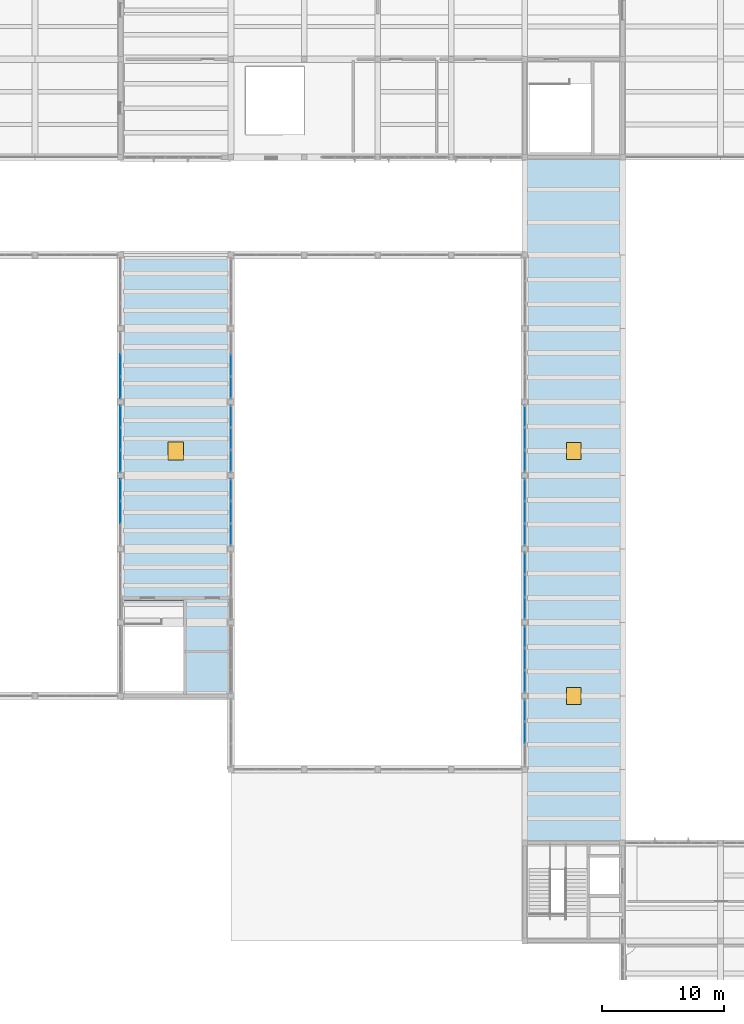
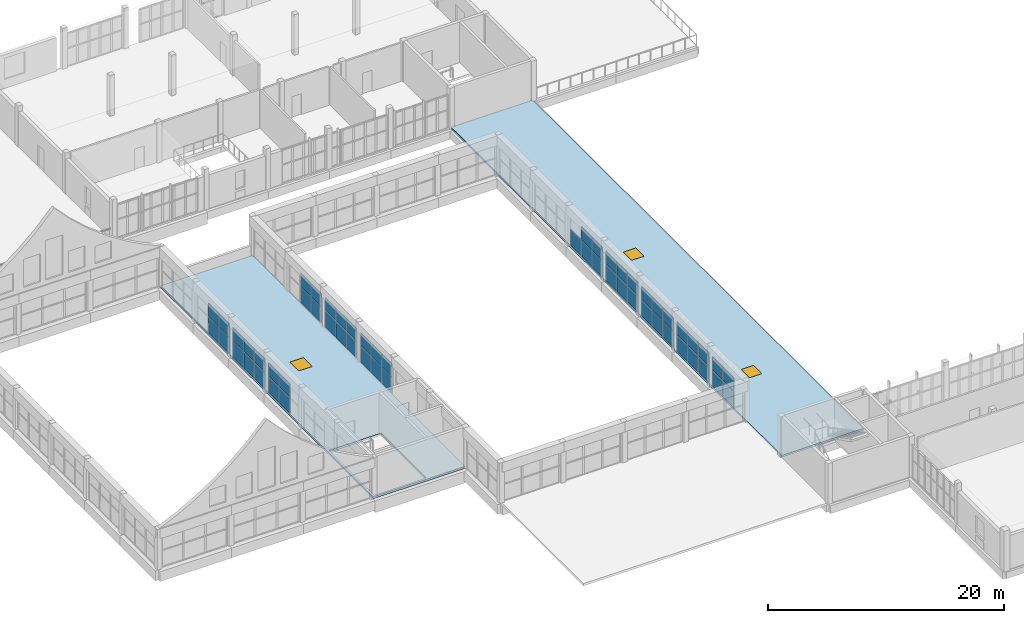
# One storey, part 41 of 70: 57 plates, 3 windows, 2 slabs, 3 openings, 11 elements without a shape of their own.
"""IFC4 building model written with IfcOpenShell, lengths in metres."""

from ifc_helpers import new_model, si_unit, direction, frame, origin, origin_2d, place, context, subcontext, project, spatial, polyline, rectangle, outline, extrude, material, layer, layer_set, type_object, element, fill, aggregate, save


model = new_model("IFC4")

# Units and contexts
model_context = context("Model", 3, precision=1e-05, world=origin(), true_north=direction((0.0, 1.0)))
body_context = subcontext(model_context, "Body", "Model", "MODEL_VIEW")
ifc_project = project(units=[si_unit("LENGTHUNIT", "METRE"), si_unit("AREAUNIT", "SQUARE_METRE"), si_unit("VOLUMEUNIT", "CUBIC_METRE"), si_unit("PLANEANGLEUNIT", "RADIAN"), si_unit("MASSUNIT", "GRAM", prefix="KILO")], contexts=[model_context])

# Site, building, storey
site_placement = place(None, origin())
site = spatial("IfcSite", under=ifc_project, at=site_placement, CompositionType="ELEMENT")
building_placement = place(site_placement, origin())
building = spatial("IfcBuilding", under=site, at=building_placement, Name="Solvane Community Centre", CompositionType="ELEMENT")
storey_placement = place(building_placement, frame((0.0, 0.0, 9.60009765625)))
storey = spatial("IfcBuildingStorey", under=building, at=storey_placement, Name="L02", CompositionType="ELEMENT", Elevation=9.60009765625)

# Slab, opening, window
ifc_material_1 = material(Name="Cross-laminated timber C24", Category="wood")
ifc_layer_1 = layer(ifc_material_1, 0.199951171875)
ifc_layer_set_1 = layer_set([ifc_layer_1], Name="Cross-laminated timber C24")
slab_type = type_object("IfcSlabType", Name="Insulated Pitched Roof Deck 200mm", PredefinedType="ROOF", material=ifc_layer_set_1)
slab_1_placement = place(storey_placement, frame((0.0, 0.0, -0.210205078125)))
slab_1 = element("IfcSlab", 1, at=slab_1_placement, inside=storey, type_object=slab_type, Name="Podium Roof Slab SLB-RF-V2-CHG", PredefinedType="ROOF", context=body_context, shape_type="SweptSolid", body=[
    extrude(outline(polyline([(27.0, 42.0), (36.0, 42.0), (36.0, 78.0), (27.0, 78.0), (27.0, 42.0)]), holes=[polyline([(27.199951171875, 42.199951171875), (32.300048828125, 42.199951171875), (32.300048828125, 49.800048828125), (27.199951171875, 49.800048828125), (27.199951171875, 42.199951171875)]), polyline([(30.85009765625, 61.25), (32.14990234375, 61.25), (32.14990234375, 62.75), (30.85009765625, 62.75), (30.85009765625, 61.25)])]), origin(), (0.0, 0.0, 1.0), 0.210205078125),
])
opening_1_placement = place(slab_1_placement, frame((31.5, 62.0, 0.0)))
opening_1 = element("IfcOpeningElement", 2, at=opening_1_placement, cuts=slab_1, Name="Opening SK04", PredefinedType="OPENING", context=body_context, shape_type="SweptSolid", body=[
    extrude(rectangle(XDim=1.300048828125, YDim=1.5, at=origin_2d()), origin(), (0.0, 0.0, 1.0), 0.210205078125),
])
ifc_material_2 = material(Name="Translucent polycarbonate panel")
window_type_1 = type_object("IfcWindowType", Name="Podium Daylight Dome 1300x1500", PartitioningType="SINGLE_PANEL", PredefinedType="SKYLIGHT", material=ifc_material_2)
window_1_placement = place(opening_1_placement, frame((0.0, 0.0, 0.16015625)))
window_1 = element("IfcWindow", 3, at=window_1_placement, inside=storey, type_object=window_type_1, Name="SK-RF-03", OverallHeight=1.5, OverallWidth=1.300048828125, PartitioningType="SINGLE_PANEL", PredefinedType="SKYLIGHT", context=body_context, shape_type="SweptSolid", body=[
    extrude(rectangle(XDim=1.300048828125, YDim=1.5, at=origin_2d()), origin(), (0.0, 0.0, 1.0), 0.050048828125),
])
fill(opening_1, window_1)

# Slab, openings, windows
slab_2_placement = place(storey_placement, frame((0.0, 0.0, -0.190185546875)))
slab_2 = element("IfcSlab", 4, at=slab_2_placement, inside=storey, type_object=slab_type, Name="Podium Roof Slab SLB-RF-V1-CLO", PredefinedType="ROOF", context=body_context, shape_type="SweptSolid", body=[
    extrude(outline(polyline([(60.0, 30.0), (68.0, 30.0), (68.0, 86.0), (60.0, 86.0), (60.0, 30.0)]), holes=[polyline([(63.39990234375, 41.300048828125), (64.60009765625, 41.300048828125), (64.60009765625, 42.699951171875), (63.39990234375, 42.699951171875), (63.39990234375, 41.300048828125)]), polyline([(63.39990234375, 61.300048828125), (64.60009765625, 61.300048828125), (64.60009765625, 62.699951171875), (63.39990234375, 62.699951171875), (63.39990234375, 61.300048828125)])]), origin(), (0.0, 0.0, 1.0), 0.190185546875),
])
opening_2_placement = place(slab_2_placement, frame((64.0, 42.0, 0.0)))
opening_2 = element("IfcOpeningElement", 5, at=opening_2_placement, cuts=slab_2, Name="Opening SK02", PredefinedType="OPENING", context=body_context, shape_type="SweptSolid", body=[
    extrude(rectangle(XDim=1.199951171875, YDim=1.39990234375, at=origin_2d()), origin(), (0.0, 0.0, 1.0), 0.190185546875),
])
opening_3_placement = place(slab_2_placement, frame((64.0, 62.0, 0.0)))
opening_3 = element("IfcOpeningElement", 6, at=opening_3_placement, cuts=slab_2, Name="Opening SK02", PredefinedType="OPENING", context=body_context, shape_type="SweptSolid", body=[
    extrude(rectangle(XDim=1.199951171875, YDim=1.39990234375, at=origin_2d()), origin(), (0.0, 0.0, 1.0), 0.190185546875),
])
window_type_2 = type_object("IfcWindowType", Name="Roof Access Skylight Hatch 1200x1400", PartitioningType="SINGLE_PANEL", PredefinedType="SKYLIGHT", material=ifc_material_2)
window_2_placement = place(opening_2_placement, frame((0.0, 0.0, 0.14013671875)))
window_2 = element("IfcWindow", 7, at=window_2_placement, inside=storey, type_object=window_type_2, Name="SK-RF-01", OverallHeight=1.39990234375, OverallWidth=1.199951171875, PartitioningType="SINGLE_PANEL", PredefinedType="SKYLIGHT", context=body_context, shape_type="SweptSolid", body=[
    extrude(rectangle(XDim=1.199951171875, YDim=1.39990234375, at=origin_2d()), origin(), (0.0, 0.0, 1.0), 0.050048828125),
])
fill(opening_2, window_2)
window_3_placement = place(opening_3_placement, frame((0.0, 0.0, 0.14013671875)))
window_3 = element("IfcWindow", 8, at=window_3_placement, inside=storey, type_object=window_type_2, Name="SK-RF-02", OverallHeight=1.39990234375, OverallWidth=1.199951171875, PartitioningType="SINGLE_PANEL", PredefinedType="SKYLIGHT", context=body_context, shape_type="SweptSolid", body=[
    extrude(rectangle(XDim=1.199951171875, YDim=1.39990234375, at=origin_2d()), origin(), (0.0, 0.0, 1.0), 0.050048828125),
])
fill(opening_3, window_3)

# Curtain wall, plates
ifc_material_3 = material(Name="Anodised bronze aluminium AW-6063 T6", Category="aluminium")
ifc_layer_2 = layer(ifc_material_3, 0.179931640625)
ifc_layer_set_2 = layer_set([ifc_layer_2], Name="Anodised bronze aluminium AW-6063 T6")
curtain_wall_type = type_object("IfcCurtainWallType", Name="Hall Translucent Upper Curtain Wall [55x32dm]", PredefinedType="NOTDEFINED", material=ifc_layer_set_2)
curtain_wall_1_placement = place(storey_placement, origin())
curtain_wall_1 = element("IfcCurtainWall", 9, at=curtain_wall_1_placement, inside=storey, type_object=curtain_wall_type, Name="Curtain Wall CW-L02-360_717-123", PredefinedType="NOTDEFINED")
ifc_layer_3 = layer(ifc_material_2, 0.028076171875)
ifc_layer_set_3 = layer_set([ifc_layer_3], Name="Translucent polycarbonate panel")
plate_type = type_object("IfcPlateType", Name="Translucent Polycarbonate Panel 28mm [55x32dm]", PredefinedType="CURTAIN_PANEL", material=ifc_layer_set_3)
plate_1_placement = place(storey_placement, frame((36.0, 69.0, 0.059814453125), z_axis=(0.0, 0.0, 1.0), x_axis=(0.0, -1.0, 0.0)))
plate_1 = element("IfcPlate", 10, at=plate_1_placement, type_object=plate_type, Name="CW01-55x32 panel 2.1", PredefinedType="CURTAIN_PANEL", context=body_context, shape_type="SweptSolid", body=[
    extrude(rectangle(XDim=1.77001953125, YDim=0.028076171875, at=origin_2d()), origin(), (0.0, 0.0, 1.0), 1.662109375),
])
plate_2_placement = place(storey_placement, frame((36.0, 69.0, 1.78173828125), z_axis=(0.0, 0.0, 1.0), x_axis=(0.0, -1.0, 0.0)))
plate_2 = element("IfcPlate", 11, at=plate_2_placement, type_object=plate_type, Name="CW01-55x32 panel 2.2", PredefinedType="CURTAIN_PANEL", context=body_context, shape_type="SweptSolid", body=[
    extrude(rectangle(XDim=1.77001953125, YDim=0.028076171875, at=origin_2d()), origin(), (0.0, 0.0, 1.0), 1.343017578125),
])
plate_3_placement = place(storey_placement, frame((36.0, 67.18505859375, 0.059814453125), z_axis=(0.0, 0.0, 1.0), x_axis=(0.0, -1.0, 0.0)))
plate_3 = element("IfcPlate", 12, at=plate_3_placement, type_object=plate_type, Name="CW01-55x32 panel 3.1", PredefinedType="CURTAIN_PANEL", context=body_context, shape_type="SweptSolid", body=[
    extrude(rectangle(XDim=1.739990234375, YDim=0.028076171875, at=origin_2d()), origin(), (0.0, 0.0, 1.0), 1.662109375),
])
plate_4_placement = place(storey_placement, frame((36.0, 67.18505859375, 1.78173828125), z_axis=(0.0, 0.0, 1.0), x_axis=(0.0, -1.0, 0.0)))
plate_4 = element("IfcPlate", 13, at=plate_4_placement, type_object=plate_type, Name="CW01-55x32 panel 3.2", PredefinedType="CURTAIN_PANEL", context=body_context, shape_type="SweptSolid", body=[
    extrude(rectangle(XDim=1.739990234375, YDim=0.028076171875, at=origin_2d()), origin(), (0.0, 0.0, 1.0), 1.343017578125),
])
aggregate(curtain_wall_1, [plate_1, plate_2, plate_3, plate_4])

curtain_wall_2_placement = place(storey_placement, origin())
curtain_wall_2 = element("IfcCurtainWall", 14, at=curtain_wall_2_placement, inside=storey, type_object=curtain_wall_type, Name="Curtain Wall CW-L02-360_657-124", PredefinedType="NOTDEFINED")
plate_5_placement = place(storey_placement, frame((36.0, 64.81494140625, 0.059814453125), z_axis=(0.0, 0.0, 1.0), x_axis=(0.0, -1.0, 0.0)))
plate_5 = element("IfcPlate", 15, at=plate_5_placement, type_object=plate_type, Name="CW01-55x32 panel 1.1", PredefinedType="CURTAIN_PANEL", context=body_context, shape_type="SweptSolid", body=[
    extrude(rectangle(XDim=1.739990234375, YDim=0.028076171875, at=origin_2d()), origin(), (0.0, 0.0, 1.0), 1.662109375),
])
plate_6_placement = place(storey_placement, frame((36.0, 64.81494140625, 1.78173828125), z_axis=(0.0, 0.0, 1.0), x_axis=(0.0, -1.0, 0.0)))
plate_6 = element("IfcPlate", 16, at=plate_6_placement, type_object=plate_type, Name="CW01-55x32 panel 1.2", PredefinedType="CURTAIN_PANEL", context=body_context, shape_type="SweptSolid", body=[
    extrude(rectangle(XDim=1.739990234375, YDim=0.028076171875, at=origin_2d()), origin(), (0.0, 0.0, 1.0), 1.343017578125),
])
plate_7_placement = place(storey_placement, frame((36.0, 63.0, 0.059814453125), z_axis=(0.0, 0.0, 1.0), x_axis=(0.0, -1.0, 0.0)))
plate_7 = element("IfcPlate", 17, at=plate_7_placement, type_object=plate_type, Name="CW01-55x32 panel 2.1", PredefinedType="CURTAIN_PANEL", context=body_context, shape_type="SweptSolid", body=[
    extrude(rectangle(XDim=1.77001953125, YDim=0.028076171875, at=origin_2d()), origin(), (0.0, 0.0, 1.0), 1.662109375),
])
plate_8_placement = place(storey_placement, frame((36.0, 63.0, 1.78173828125), z_axis=(0.0, 0.0, 1.0), x_axis=(0.0, -1.0, 0.0)))
plate_8 = element("IfcPlate", 18, at=plate_8_placement, type_object=plate_type, Name="CW01-55x32 panel 2.2", PredefinedType="CURTAIN_PANEL", context=body_context, shape_type="SweptSolid", body=[
    extrude(rectangle(XDim=1.77001953125, YDim=0.028076171875, at=origin_2d()), origin(), (0.0, 0.0, 1.0), 1.343017578125),
])
plate_9_placement = place(storey_placement, frame((36.0, 61.18505859375, 0.059814453125), z_axis=(0.0, 0.0, 1.0), x_axis=(0.0, -1.0, 0.0)))
plate_9 = element("IfcPlate", 19, at=plate_9_placement, type_object=plate_type, Name="CW01-55x32 panel 3.1", PredefinedType="CURTAIN_PANEL", context=body_context, shape_type="SweptSolid", body=[
    extrude(rectangle(XDim=1.739990234375, YDim=0.028076171875, at=origin_2d()), origin(), (0.0, 0.0, 1.0), 1.662109375),
])
plate_10_placement = place(storey_placement, frame((36.0, 61.18505859375, 1.78173828125), z_axis=(0.0, 0.0, 1.0), x_axis=(0.0, -1.0, 0.0)))
plate_10 = element("IfcPlate", 20, at=plate_10_placement, type_object=plate_type, Name="CW01-55x32 panel 3.2", PredefinedType="CURTAIN_PANEL", context=body_context, shape_type="SweptSolid", body=[
    extrude(rectangle(XDim=1.739990234375, YDim=0.028076171875, at=origin_2d()), origin(), (0.0, 0.0, 1.0), 1.343017578125),
])
aggregate(curtain_wall_2, [plate_5, plate_6, plate_7, plate_8, plate_9, plate_10])

curtain_wall_3_placement = place(storey_placement, origin())
curtain_wall_3 = element("IfcCurtainWall", 21, at=curtain_wall_3_placement, inside=storey, type_object=curtain_wall_type, Name="Curtain Wall CW-L02-360_597-125", PredefinedType="NOTDEFINED")
plate_11_placement = place(storey_placement, frame((36.0, 58.81494140625, 0.059814453125), z_axis=(0.0, 0.0, 1.0), x_axis=(0.0, -1.0, 0.0)))
plate_11 = element("IfcPlate", 22, at=plate_11_placement, type_object=plate_type, Name="CW01-55x32 panel 1.1", PredefinedType="CURTAIN_PANEL", context=body_context, shape_type="SweptSolid", body=[
    extrude(rectangle(XDim=1.739990234375, YDim=0.028076171875, at=origin_2d()), origin(), (0.0, 0.0, 1.0), 1.662109375),
])
plate_12_placement = place(storey_placement, frame((36.0, 58.81494140625, 1.78173828125), z_axis=(0.0, 0.0, 1.0), x_axis=(0.0, -1.0, 0.0)))
plate_12 = element("IfcPlate", 23, at=plate_12_placement, type_object=plate_type, Name="CW01-55x32 panel 1.2", PredefinedType="CURTAIN_PANEL", context=body_context, shape_type="SweptSolid", body=[
    extrude(rectangle(XDim=1.739990234375, YDim=0.028076171875, at=origin_2d()), origin(), (0.0, 0.0, 1.0), 1.343017578125),
])
plate_13_placement = place(storey_placement, frame((36.0, 57.0, 0.059814453125), z_axis=(0.0, 0.0, 1.0), x_axis=(0.0, -1.0, 0.0)))
plate_13 = element("IfcPlate", 24, at=plate_13_placement, type_object=plate_type, Name="CW01-55x32 panel 2.1", PredefinedType="CURTAIN_PANEL", context=body_context, shape_type="SweptSolid", body=[
    extrude(rectangle(XDim=1.77001953125, YDim=0.028076171875, at=origin_2d()), origin(), (0.0, 0.0, 1.0), 1.662109375),
])
plate_14_placement = place(storey_placement, frame((36.0, 57.0, 1.78173828125), z_axis=(0.0, 0.0, 1.0), x_axis=(0.0, -1.0, 0.0)))
plate_14 = element("IfcPlate", 25, at=plate_14_placement, type_object=plate_type, Name="CW01-55x32 panel 2.2", PredefinedType="CURTAIN_PANEL", context=body_context, shape_type="SweptSolid", body=[
    extrude(rectangle(XDim=1.77001953125, YDim=0.028076171875, at=origin_2d()), origin(), (0.0, 0.0, 1.0), 1.343017578125),
])
plate_15_placement = place(storey_placement, frame((36.0, 55.18505859375, 0.059814453125), z_axis=(0.0, 0.0, 1.0), x_axis=(0.0, -1.0, 0.0)))
plate_15 = element("IfcPlate", 26, at=plate_15_placement, type_object=plate_type, Name="CW01-55x32 panel 3.1", PredefinedType="CURTAIN_PANEL", context=body_context, shape_type="SweptSolid", body=[
    extrude(rectangle(XDim=1.739990234375, YDim=0.028076171875, at=origin_2d()), origin(), (0.0, 0.0, 1.0), 1.662109375),
])
plate_16_placement = place(storey_placement, frame((36.0, 55.18505859375, 1.78173828125), z_axis=(0.0, 0.0, 1.0), x_axis=(0.0, -1.0, 0.0)))
plate_16 = element("IfcPlate", 27, at=plate_16_placement, type_object=plate_type, Name="CW01-55x32 panel 3.2", PredefinedType="CURTAIN_PANEL", context=body_context, shape_type="SweptSolid", body=[
    extrude(rectangle(XDim=1.739990234375, YDim=0.028076171875, at=origin_2d()), origin(), (0.0, 0.0, 1.0), 1.343017578125),
])
aggregate(curtain_wall_3, [plate_11, plate_12, plate_13, plate_14, plate_15, plate_16])

curtain_wall_4_placement = place(storey_placement, origin())
curtain_wall_4 = element("IfcCurtainWall", 28, at=curtain_wall_4_placement, inside=storey, type_object=curtain_wall_type, Name="Curtain Wall CW-L02-600_363-136", PredefinedType="NOTDEFINED")
plate_17_placement = place(storey_placement, frame((60.0, 39.0, 0.059814453125), z_axis=(0.0, 0.0, 1.0), x_axis=(0.0, 1.0, 0.0)))
plate_17 = element("IfcPlate", 29, at=plate_17_placement, type_object=plate_type, Name="CW01-55x32 panel 2.1", PredefinedType="CURTAIN_PANEL", context=body_context, shape_type="SweptSolid", body=[
    extrude(rectangle(XDim=1.77001953125, YDim=0.028076171875, at=origin_2d()), origin(), (0.0, 0.0, 1.0), 1.662109375),
])
plate_18_placement = place(storey_placement, frame((60.0, 39.0, 1.78173828125), z_axis=(0.0, 0.0, 1.0), x_axis=(0.0, 1.0, 0.0)))
plate_18 = element("IfcPlate", 30, at=plate_18_placement, type_object=plate_type, Name="CW01-55x32 panel 2.2", PredefinedType="CURTAIN_PANEL", context=body_context, shape_type="SweptSolid", body=[
    extrude(rectangle(XDim=1.77001953125, YDim=0.028076171875, at=origin_2d()), origin(), (0.0, 0.0, 1.0), 1.343017578125),
])
plate_19_placement = place(storey_placement, frame((60.0, 40.81494140625, 0.059814453125), z_axis=(0.0, 0.0, 1.0), x_axis=(0.0, 1.0, 0.0)))
plate_19 = element("IfcPlate", 31, at=plate_19_placement, type_object=plate_type, Name="CW01-55x32 panel 3.1", PredefinedType="CURTAIN_PANEL", context=body_context, shape_type="SweptSolid", body=[
    extrude(rectangle(XDim=1.739990234375, YDim=0.028076171875, at=origin_2d()), origin(), (0.0, 0.0, 1.0), 1.662109375),
])
plate_20_placement = place(storey_placement, frame((60.0, 40.81494140625, 1.78173828125), z_axis=(0.0, 0.0, 1.0), x_axis=(0.0, 1.0, 0.0)))
plate_20 = element("IfcPlate", 32, at=plate_20_placement, type_object=plate_type, Name="CW01-55x32 panel 3.2", PredefinedType="CURTAIN_PANEL", context=body_context, shape_type="SweptSolid", body=[
    extrude(rectangle(XDim=1.739990234375, YDim=0.028076171875, at=origin_2d()), origin(), (0.0, 0.0, 1.0), 1.343017578125),
])
aggregate(curtain_wall_4, [plate_17, plate_18, plate_19, plate_20])

curtain_wall_5_placement = place(storey_placement, origin())
curtain_wall_5 = element("IfcCurtainWall", 33, at=curtain_wall_5_placement, inside=storey, type_object=curtain_wall_type, Name="Curtain Wall CW-L02-600_423-137", PredefinedType="NOTDEFINED")
plate_21_placement = place(storey_placement, frame((60.0, 43.18505859375, 0.059814453125), z_axis=(0.0, 0.0, 1.0), x_axis=(0.0, 1.0, 0.0)))
plate_21 = element("IfcPlate", 34, at=plate_21_placement, type_object=plate_type, Name="CW01-55x32 panel 1.1", PredefinedType="CURTAIN_PANEL", context=body_context, shape_type="SweptSolid", body=[
    extrude(rectangle(XDim=1.739990234375, YDim=0.028076171875, at=origin_2d()), origin(), (0.0, 0.0, 1.0), 1.662109375),
])
plate_22_placement = place(storey_placement, frame((60.0, 43.18505859375, 1.78173828125), z_axis=(0.0, 0.0, 1.0), x_axis=(0.0, 1.0, 0.0)))
plate_22 = element("IfcPlate", 35, at=plate_22_placement, type_object=plate_type, Name="CW01-55x32 panel 1.2", PredefinedType="CURTAIN_PANEL", context=body_context, shape_type="SweptSolid", body=[
    extrude(rectangle(XDim=1.739990234375, YDim=0.028076171875, at=origin_2d()), origin(), (0.0, 0.0, 1.0), 1.343017578125),
])
plate_23_placement = place(storey_placement, frame((60.0, 45.0, 0.059814453125), z_axis=(0.0, 0.0, 1.0), x_axis=(0.0, 1.0, 0.0)))
plate_23 = element("IfcPlate", 36, at=plate_23_placement, type_object=plate_type, Name="CW01-55x32 panel 2.1", PredefinedType="CURTAIN_PANEL", context=body_context, shape_type="SweptSolid", body=[
    extrude(rectangle(XDim=1.77001953125, YDim=0.028076171875, at=origin_2d()), origin(), (0.0, 0.0, 1.0), 1.662109375),
])
plate_24_placement = place(storey_placement, frame((60.0, 45.0, 1.78173828125), z_axis=(0.0, 0.0, 1.0), x_axis=(0.0, 1.0, 0.0)))
plate_24 = element("IfcPlate", 37, at=plate_24_placement, type_object=plate_type, Name="CW01-55x32 panel 2.2", PredefinedType="CURTAIN_PANEL", context=body_context, shape_type="SweptSolid", body=[
    extrude(rectangle(XDim=1.77001953125, YDim=0.028076171875, at=origin_2d()), origin(), (0.0, 0.0, 1.0), 1.343017578125),
])
plate_25_placement = place(storey_placement, frame((60.0, 46.81494140625, 0.059814453125), z_axis=(0.0, 0.0, 1.0), x_axis=(0.0, 1.0, 0.0)))
plate_25 = element("IfcPlate", 38, at=plate_25_placement, type_object=plate_type, Name="CW01-55x32 panel 3.1", PredefinedType="CURTAIN_PANEL", context=body_context, shape_type="SweptSolid", body=[
    extrude(rectangle(XDim=1.739990234375, YDim=0.028076171875, at=origin_2d()), origin(), (0.0, 0.0, 1.0), 1.662109375),
])
plate_26_placement = place(storey_placement, frame((60.0, 46.81494140625, 1.78173828125), z_axis=(0.0, 0.0, 1.0), x_axis=(0.0, 1.0, 0.0)))
plate_26 = element("IfcPlate", 39, at=plate_26_placement, type_object=plate_type, Name="CW01-55x32 panel 3.2", PredefinedType="CURTAIN_PANEL", context=body_context, shape_type="SweptSolid", body=[
    extrude(rectangle(XDim=1.739990234375, YDim=0.028076171875, at=origin_2d()), origin(), (0.0, 0.0, 1.0), 1.343017578125),
])
aggregate(curtain_wall_5, [plate_21, plate_22, plate_23, plate_24, plate_25, plate_26])

curtain_wall_6_placement = place(storey_placement, origin())
curtain_wall_6 = element("IfcCurtainWall", 40, at=curtain_wall_6_placement, inside=storey, type_object=curtain_wall_type, Name="Curtain Wall CW-L02-600_483-138", PredefinedType="NOTDEFINED")
plate_27_placement = place(storey_placement, frame((60.0, 49.18505859375, 0.059814453125), z_axis=(0.0, 0.0, 1.0), x_axis=(0.0, 1.0, 0.0)))
plate_27 = element("IfcPlate", 41, at=plate_27_placement, type_object=plate_type, Name="CW01-55x32 panel 1.1", PredefinedType="CURTAIN_PANEL", context=body_context, shape_type="SweptSolid", body=[
    extrude(rectangle(XDim=1.739990234375, YDim=0.028076171875, at=origin_2d()), origin(), (0.0, 0.0, 1.0), 1.662109375),
])
plate_28_placement = place(storey_placement, frame((60.0, 49.18505859375, 1.78173828125), z_axis=(0.0, 0.0, 1.0), x_axis=(0.0, 1.0, 0.0)))
plate_28 = element("IfcPlate", 42, at=plate_28_placement, type_object=plate_type, Name="CW01-55x32 panel 1.2", PredefinedType="CURTAIN_PANEL", context=body_context, shape_type="SweptSolid", body=[
    extrude(rectangle(XDim=1.739990234375, YDim=0.028076171875, at=origin_2d()), origin(), (0.0, 0.0, 1.0), 1.343017578125),
])
plate_29_placement = place(storey_placement, frame((60.0, 51.0, 0.059814453125), z_axis=(0.0, 0.0, 1.0), x_axis=(0.0, 1.0, 0.0)))
plate_29 = element("IfcPlate", 43, at=plate_29_placement, type_object=plate_type, Name="CW01-55x32 panel 2.1", PredefinedType="CURTAIN_PANEL", context=body_context, shape_type="SweptSolid", body=[
    extrude(rectangle(XDim=1.77001953125, YDim=0.028076171875, at=origin_2d()), origin(), (0.0, 0.0, 1.0), 1.662109375),
])
plate_30_placement = place(storey_placement, frame((60.0, 51.0, 1.78173828125), z_axis=(0.0, 0.0, 1.0), x_axis=(0.0, 1.0, 0.0)))
plate_30 = element("IfcPlate", 44, at=plate_30_placement, type_object=plate_type, Name="CW01-55x32 panel 2.2", PredefinedType="CURTAIN_PANEL", context=body_context, shape_type="SweptSolid", body=[
    extrude(rectangle(XDim=1.77001953125, YDim=0.028076171875, at=origin_2d()), origin(), (0.0, 0.0, 1.0), 1.343017578125),
])
plate_31_placement = place(storey_placement, frame((60.0, 52.81494140625, 0.059814453125), z_axis=(0.0, 0.0, 1.0), x_axis=(0.0, 1.0, 0.0)))
plate_31 = element("IfcPlate", 45, at=plate_31_placement, type_object=plate_type, Name="CW01-55x32 panel 3.1", PredefinedType="CURTAIN_PANEL", context=body_context, shape_type="SweptSolid", body=[
    extrude(rectangle(XDim=1.739990234375, YDim=0.028076171875, at=origin_2d()), origin(), (0.0, 0.0, 1.0), 1.662109375),
])
plate_32_placement = place(storey_placement, frame((60.0, 52.81494140625, 1.78173828125), z_axis=(0.0, 0.0, 1.0), x_axis=(0.0, 1.0, 0.0)))
plate_32 = element("IfcPlate", 46, at=plate_32_placement, type_object=plate_type, Name="CW01-55x32 panel 3.2", PredefinedType="CURTAIN_PANEL", context=body_context, shape_type="SweptSolid", body=[
    extrude(rectangle(XDim=1.739990234375, YDim=0.028076171875, at=origin_2d()), origin(), (0.0, 0.0, 1.0), 1.343017578125),
])
aggregate(curtain_wall_6, [plate_27, plate_28, plate_29, plate_30, plate_31, plate_32])

curtain_wall_7_placement = place(storey_placement, origin())
curtain_wall_7 = element("IfcCurtainWall", 47, at=curtain_wall_7_placement, inside=storey, type_object=curtain_wall_type, Name="Curtain Wall CW-L02-600_543-139", PredefinedType="NOTDEFINED")
plate_33_placement = place(storey_placement, frame((60.0, 55.18505859375, 0.059814453125), z_axis=(0.0, 0.0, 1.0), x_axis=(0.0, 1.0, 0.0)))
plate_33 = element("IfcPlate", 48, at=plate_33_placement, type_object=plate_type, Name="CW01-55x32 panel 1.1", PredefinedType="CURTAIN_PANEL", context=body_context, shape_type="SweptSolid", body=[
    extrude(rectangle(XDim=1.739990234375, YDim=0.028076171875, at=origin_2d()), origin(), (0.0, 0.0, 1.0), 1.662109375),
])
plate_34_placement = place(storey_placement, frame((60.0, 55.18505859375, 1.78173828125), z_axis=(0.0, 0.0, 1.0), x_axis=(0.0, 1.0, 0.0)))
plate_34 = element("IfcPlate", 49, at=plate_34_placement, type_object=plate_type, Name="CW01-55x32 panel 1.2", PredefinedType="CURTAIN_PANEL", context=body_context, shape_type="SweptSolid", body=[
    extrude(rectangle(XDim=1.739990234375, YDim=0.028076171875, at=origin_2d()), origin(), (0.0, 0.0, 1.0), 1.343017578125),
])
plate_35_placement = place(storey_placement, frame((60.0, 57.0, 0.059814453125), z_axis=(0.0, 0.0, 1.0), x_axis=(0.0, 1.0, 0.0)))
plate_35 = element("IfcPlate", 50, at=plate_35_placement, type_object=plate_type, Name="CW01-55x32 panel 2.1", PredefinedType="CURTAIN_PANEL", context=body_context, shape_type="SweptSolid", body=[
    extrude(rectangle(XDim=1.77001953125, YDim=0.028076171875, at=origin_2d()), origin(), (0.0, 0.0, 1.0), 1.662109375),
])
plate_36_placement = place(storey_placement, frame((60.0, 57.0, 1.78173828125), z_axis=(0.0, 0.0, 1.0), x_axis=(0.0, 1.0, 0.0)))
plate_36 = element("IfcPlate", 51, at=plate_36_placement, type_object=plate_type, Name="CW01-55x32 panel 2.2", PredefinedType="CURTAIN_PANEL", context=body_context, shape_type="SweptSolid", body=[
    extrude(rectangle(XDim=1.77001953125, YDim=0.028076171875, at=origin_2d()), origin(), (0.0, 0.0, 1.0), 1.343017578125),
])
plate_37_placement = place(storey_placement, frame((60.0, 58.81494140625, 0.059814453125), z_axis=(0.0, 0.0, 1.0), x_axis=(0.0, 1.0, 0.0)))
plate_37 = element("IfcPlate", 52, at=plate_37_placement, type_object=plate_type, Name="CW01-55x32 panel 3.1", PredefinedType="CURTAIN_PANEL", context=body_context, shape_type="SweptSolid", body=[
    extrude(rectangle(XDim=1.739990234375, YDim=0.028076171875, at=origin_2d()), origin(), (0.0, 0.0, 1.0), 1.662109375),
])
plate_38_placement = place(storey_placement, frame((60.0, 58.81494140625, 1.78173828125), z_axis=(0.0, 0.0, 1.0), x_axis=(0.0, 1.0, 0.0)))
plate_38 = element("IfcPlate", 53, at=plate_38_placement, type_object=plate_type, Name="CW01-55x32 panel 3.2", PredefinedType="CURTAIN_PANEL", context=body_context, shape_type="SweptSolid", body=[
    extrude(rectangle(XDim=1.739990234375, YDim=0.028076171875, at=origin_2d()), origin(), (0.0, 0.0, 1.0), 1.343017578125),
])
aggregate(curtain_wall_7, [plate_33, plate_34, plate_35, plate_36, plate_37, plate_38])

curtain_wall_8_placement = place(storey_placement, origin())
curtain_wall_8 = element("IfcCurtainWall", 54, at=curtain_wall_8_placement, inside=storey, type_object=curtain_wall_type, Name="Curtain Wall CW-L02-600_603-140", PredefinedType="NOTDEFINED")
plate_39_placement = place(storey_placement, frame((60.0, 61.18505859375, 0.059814453125), z_axis=(0.0, 0.0, 1.0), x_axis=(0.0, 1.0, 0.0)))
plate_39 = element("IfcPlate", 55, at=plate_39_placement, type_object=plate_type, Name="CW01-55x32 panel 1.1", PredefinedType="CURTAIN_PANEL", context=body_context, shape_type="SweptSolid", body=[
    extrude(rectangle(XDim=1.739990234375, YDim=0.028076171875, at=origin_2d()), origin(), (0.0, 0.0, 1.0), 1.662109375),
])
plate_40_placement = place(storey_placement, frame((60.0, 61.18505859375, 1.78173828125), z_axis=(0.0, 0.0, 1.0), x_axis=(0.0, 1.0, 0.0)))
plate_40 = element("IfcPlate", 56, at=plate_40_placement, type_object=plate_type, Name="CW01-55x32 panel 1.2", PredefinedType="CURTAIN_PANEL", context=body_context, shape_type="SweptSolid", body=[
    extrude(rectangle(XDim=1.739990234375, YDim=0.028076171875, at=origin_2d()), origin(), (0.0, 0.0, 1.0), 1.343017578125),
])
plate_41_placement = place(storey_placement, frame((60.0, 63.0, 0.059814453125), z_axis=(0.0, 0.0, 1.0), x_axis=(0.0, 1.0, 0.0)))
plate_41 = element("IfcPlate", 57, at=plate_41_placement, type_object=plate_type, Name="CW01-55x32 panel 2.1", PredefinedType="CURTAIN_PANEL", context=body_context, shape_type="SweptSolid", body=[
    extrude(rectangle(XDim=1.77001953125, YDim=0.028076171875, at=origin_2d()), origin(), (0.0, 0.0, 1.0), 1.662109375),
])
plate_42_placement = place(storey_placement, frame((60.0, 63.0, 1.78173828125), z_axis=(0.0, 0.0, 1.0), x_axis=(0.0, 1.0, 0.0)))
plate_42 = element("IfcPlate", 58, at=plate_42_placement, type_object=plate_type, Name="CW01-55x32 panel 2.2", PredefinedType="CURTAIN_PANEL", context=body_context, shape_type="SweptSolid", body=[
    extrude(rectangle(XDim=1.77001953125, YDim=0.028076171875, at=origin_2d()), origin(), (0.0, 0.0, 1.0), 1.343017578125),
])
plate_43_placement = place(storey_placement, frame((60.0, 64.81494140625, 0.059814453125), z_axis=(0.0, 0.0, 1.0), x_axis=(0.0, 1.0, 0.0)))
plate_43 = element("IfcPlate", 59, at=plate_43_placement, type_object=plate_type, Name="CW01-55x32 panel 3.1", PredefinedType="CURTAIN_PANEL", context=body_context, shape_type="SweptSolid", body=[
    extrude(rectangle(XDim=1.739990234375, YDim=0.028076171875, at=origin_2d()), origin(), (0.0, 0.0, 1.0), 1.662109375),
])
aggregate(curtain_wall_8, [plate_39, plate_40, plate_41, plate_42, plate_43])

curtain_wall_9_placement = place(storey_placement, origin())
curtain_wall_9 = element("IfcCurtainWall", 60, at=curtain_wall_9_placement, inside=storey, type_object=curtain_wall_type, Name="Curtain Wall CW-L02-270_543-174", PredefinedType="NOTDEFINED")
plate_44_placement = place(storey_placement, frame((27.0, 57.0, 0.059814453125), z_axis=(0.0, 0.0, 1.0), x_axis=(0.0, 1.0, 0.0)))
plate_44 = element("IfcPlate", 61, at=plate_44_placement, type_object=plate_type, Name="CW01-55x32 panel 2.1", PredefinedType="CURTAIN_PANEL", context=body_context, shape_type="SweptSolid", body=[
    extrude(rectangle(XDim=1.77001953125, YDim=0.028076171875, at=origin_2d()), origin(), (0.0, 0.0, 1.0), 1.662109375),
])
plate_45_placement = place(storey_placement, frame((27.0, 57.0, 1.78173828125), z_axis=(0.0, 0.0, 1.0), x_axis=(0.0, 1.0, 0.0)))
plate_45 = element("IfcPlate", 62, at=plate_45_placement, type_object=plate_type, Name="CW01-55x32 panel 2.2", PredefinedType="CURTAIN_PANEL", context=body_context, shape_type="SweptSolid", body=[
    extrude(rectangle(XDim=1.77001953125, YDim=0.028076171875, at=origin_2d()), origin(), (0.0, 0.0, 1.0), 1.343017578125),
])
plate_46_placement = place(storey_placement, frame((27.0, 58.81494140625, 0.059814453125), z_axis=(0.0, 0.0, 1.0), x_axis=(0.0, 1.0, 0.0)))
plate_46 = element("IfcPlate", 63, at=plate_46_placement, type_object=plate_type, Name="CW01-55x32 panel 3.1", PredefinedType="CURTAIN_PANEL", context=body_context, shape_type="SweptSolid", body=[
    extrude(rectangle(XDim=1.739990234375, YDim=0.028076171875, at=origin_2d()), origin(), (0.0, 0.0, 1.0), 1.662109375),
])
plate_47_placement = place(storey_placement, frame((27.0, 58.81494140625, 1.78173828125), z_axis=(0.0, 0.0, 1.0), x_axis=(0.0, 1.0, 0.0)))
plate_47 = element("IfcPlate", 64, at=plate_47_placement, type_object=plate_type, Name="CW01-55x32 panel 3.2", PredefinedType="CURTAIN_PANEL", context=body_context, shape_type="SweptSolid", body=[
    extrude(rectangle(XDim=1.739990234375, YDim=0.028076171875, at=origin_2d()), origin(), (0.0, 0.0, 1.0), 1.343017578125),
])
aggregate(curtain_wall_9, [plate_44, plate_45, plate_46, plate_47])

curtain_wall_10_placement = place(storey_placement, origin())
curtain_wall_10 = element("IfcCurtainWall", 65, at=curtain_wall_10_placement, inside=storey, type_object=curtain_wall_type, Name="Curtain Wall CW-L02-270_603-175", PredefinedType="NOTDEFINED")
plate_48_placement = place(storey_placement, frame((27.0, 61.18505859375, 0.059814453125), z_axis=(0.0, 0.0, 1.0), x_axis=(0.0, 1.0, 0.0)))
plate_48 = element("IfcPlate", 66, at=plate_48_placement, type_object=plate_type, Name="CW01-55x32 panel 1.1", PredefinedType="CURTAIN_PANEL", context=body_context, shape_type="SweptSolid", body=[
    extrude(rectangle(XDim=1.739990234375, YDim=0.028076171875, at=origin_2d()), origin(), (0.0, 0.0, 1.0), 1.662109375),
])
plate_49_placement = place(storey_placement, frame((27.0, 61.18505859375, 1.78173828125), z_axis=(0.0, 0.0, 1.0), x_axis=(0.0, 1.0, 0.0)))
plate_49 = element("IfcPlate", 67, at=plate_49_placement, type_object=plate_type, Name="CW01-55x32 panel 1.2", PredefinedType="CURTAIN_PANEL", context=body_context, shape_type="SweptSolid", body=[
    extrude(rectangle(XDim=1.739990234375, YDim=0.028076171875, at=origin_2d()), origin(), (0.0, 0.0, 1.0), 1.343017578125),
])
plate_50_placement = place(storey_placement, frame((27.0, 63.0, 0.059814453125), z_axis=(0.0, 0.0, 1.0), x_axis=(0.0, 1.0, 0.0)))
plate_50 = element("IfcPlate", 68, at=plate_50_placement, type_object=plate_type, Name="CW01-55x32 panel 2.1", PredefinedType="CURTAIN_PANEL", context=body_context, shape_type="SweptSolid", body=[
    extrude(rectangle(XDim=1.77001953125, YDim=0.028076171875, at=origin_2d()), origin(), (0.0, 0.0, 1.0), 1.662109375),
])
plate_51_placement = place(storey_placement, frame((27.0, 63.0, 1.78173828125), z_axis=(0.0, 0.0, 1.0), x_axis=(0.0, 1.0, 0.0)))
plate_51 = element("IfcPlate", 69, at=plate_51_placement, type_object=plate_type, Name="CW01-55x32 panel 2.2", PredefinedType="CURTAIN_PANEL", context=body_context, shape_type="SweptSolid", body=[
    extrude(rectangle(XDim=1.77001953125, YDim=0.028076171875, at=origin_2d()), origin(), (0.0, 0.0, 1.0), 1.343017578125),
])
plate_52_placement = place(storey_placement, frame((27.0, 64.81494140625, 0.059814453125), z_axis=(0.0, 0.0, 1.0), x_axis=(0.0, 1.0, 0.0)))
plate_52 = element("IfcPlate", 70, at=plate_52_placement, type_object=plate_type, Name="CW01-55x32 panel 3.1", PredefinedType="CURTAIN_PANEL", context=body_context, shape_type="SweptSolid", body=[
    extrude(rectangle(XDim=1.739990234375, YDim=0.028076171875, at=origin_2d()), origin(), (0.0, 0.0, 1.0), 1.662109375),
])
plate_53_placement = place(storey_placement, frame((27.0, 64.81494140625, 1.78173828125), z_axis=(0.0, 0.0, 1.0), x_axis=(0.0, 1.0, 0.0)))
plate_53 = element("IfcPlate", 71, at=plate_53_placement, type_object=plate_type, Name="CW01-55x32 panel 3.2", PredefinedType="CURTAIN_PANEL", context=body_context, shape_type="SweptSolid", body=[
    extrude(rectangle(XDim=1.739990234375, YDim=0.028076171875, at=origin_2d()), origin(), (0.0, 0.0, 1.0), 1.343017578125),
])
aggregate(curtain_wall_10, [plate_48, plate_49, plate_50, plate_51, plate_52, plate_53])

curtain_wall_11_placement = place(storey_placement, origin())
curtain_wall_11 = element("IfcCurtainWall", 72, at=curtain_wall_11_placement, inside=storey, type_object=curtain_wall_type, Name="Curtain Wall CW-L02-270_663-176", PredefinedType="NOTDEFINED")
plate_54_placement = place(storey_placement, frame((27.0, 67.18505859375, 0.059814453125), z_axis=(0.0, 0.0, 1.0), x_axis=(0.0, 1.0, 0.0)))
plate_54 = element("IfcPlate", 73, at=plate_54_placement, type_object=plate_type, Name="CW01-55x32 panel 1.1", PredefinedType="CURTAIN_PANEL", context=body_context, shape_type="SweptSolid", body=[
    extrude(rectangle(XDim=1.739990234375, YDim=0.028076171875, at=origin_2d()), origin(), (0.0, 0.0, 1.0), 1.662109375),
])
plate_55_placement = place(storey_placement, frame((27.0, 67.18505859375, 1.78173828125), z_axis=(0.0, 0.0, 1.0), x_axis=(0.0, 1.0, 0.0)))
plate_55 = element("IfcPlate", 74, at=plate_55_placement, type_object=plate_type, Name="CW01-55x32 panel 1.2", PredefinedType="CURTAIN_PANEL", context=body_context, shape_type="SweptSolid", body=[
    extrude(rectangle(XDim=1.739990234375, YDim=0.028076171875, at=origin_2d()), origin(), (0.0, 0.0, 1.0), 1.343017578125),
])
plate_56_placement = place(storey_placement, frame((27.0, 69.0, 0.059814453125), z_axis=(0.0, 0.0, 1.0), x_axis=(0.0, 1.0, 0.0)))
plate_56 = element("IfcPlate", 75, at=plate_56_placement, type_object=plate_type, Name="CW01-55x32 panel 2.1", PredefinedType="CURTAIN_PANEL", context=body_context, shape_type="SweptSolid", body=[
    extrude(rectangle(XDim=1.77001953125, YDim=0.028076171875, at=origin_2d()), origin(), (0.0, 0.0, 1.0), 1.662109375),
])
plate_57_placement = place(storey_placement, frame((27.0, 69.0, 1.78173828125), z_axis=(0.0, 0.0, 1.0), x_axis=(0.0, 1.0, 0.0)))
plate_57 = element("IfcPlate", 76, at=plate_57_placement, type_object=plate_type, Name="CW01-55x32 panel 2.2", PredefinedType="CURTAIN_PANEL", context=body_context, shape_type="SweptSolid", body=[
    extrude(rectangle(XDim=1.77001953125, YDim=0.028076171875, at=origin_2d()), origin(), (0.0, 0.0, 1.0), 1.343017578125),
])
aggregate(curtain_wall_11, [plate_54, plate_55, plate_56, plate_57])

save(model, "model.ifc")
